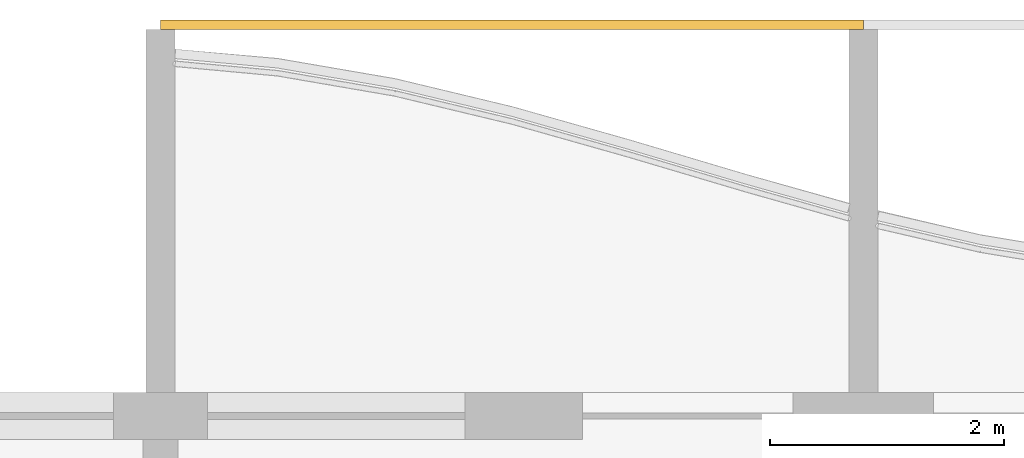
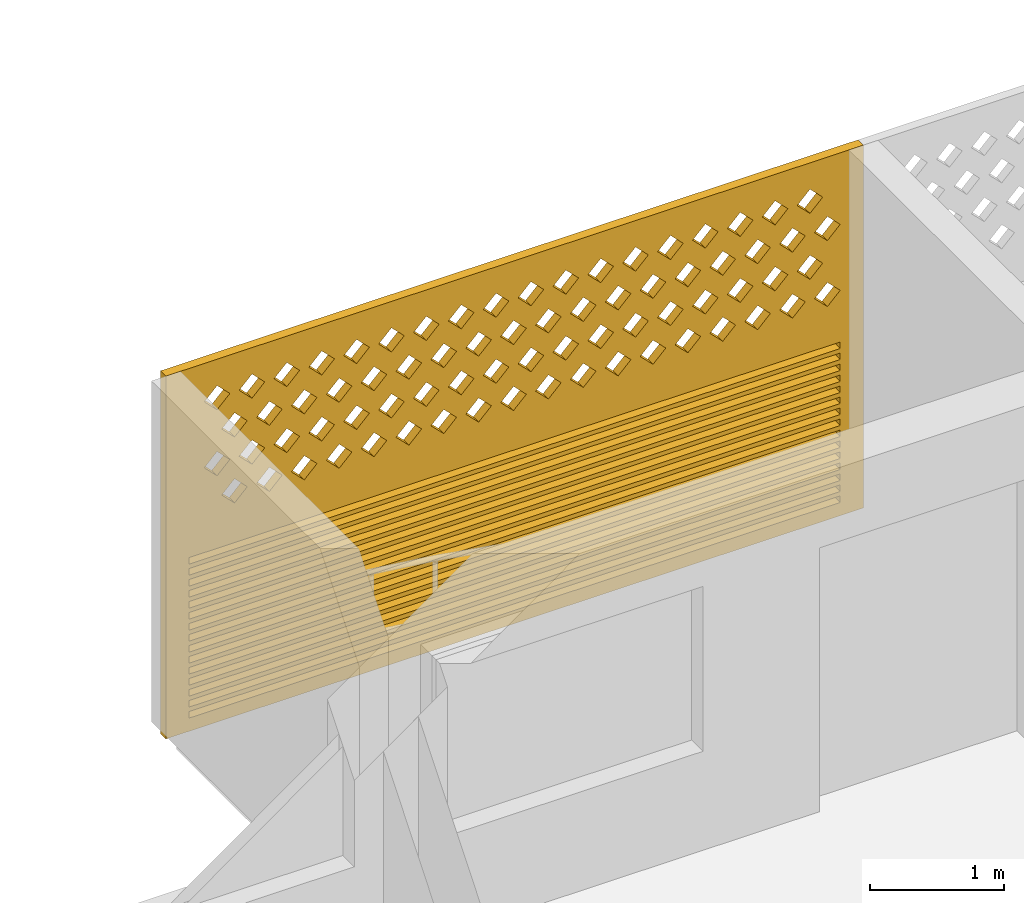
# One storey, part 28 of 32: 1 covering.
"""IFC4 building model written with IfcOpenShell, lengths in metres."""

from ifc_helpers import new_model, si_unit, direction, frame, origin, place, context, subcontext, project, spatial, polyline, outline, extrude, source, transform, mapped, material, material_profile, profile_set, type_object, element, save


model = new_model("IFC4")

# Units and contexts
model_context = context("Model", 3, precision=1e-05, world=origin(), true_north=direction((0.0, 1.0)))
body_context = subcontext(model_context, "Body", "Model", "MODEL_VIEW")
ifc_project = project(units=[si_unit("LENGTHUNIT", "METRE"), si_unit("AREAUNIT", "SQUARE_METRE"), si_unit("VOLUMEUNIT", "CUBIC_METRE"), si_unit("PLANEANGLEUNIT", "RADIAN"), si_unit("MASSUNIT", "GRAM", prefix="KILO")], contexts=[model_context])

# Site, building, storey
site_placement = place(None, origin())
site = spatial("IfcSite", under=ifc_project, at=site_placement, CompositionType="ELEMENT")
building_placement = place(site_placement, origin())
building = spatial("IfcBuilding", under=site, at=building_placement, Name="Poui Terraces", CompositionType="ELEMENT")
storey_placement = place(building_placement, frame((0.0, 0.0, 125.699951171875)))
storey = spatial("IfcBuildingStorey", under=building, at=storey_placement, Name="L34", CompositionType="ELEMENT", Elevation=125.699951171875)

# Covering
ifc_material = material(Name="Terracotta screen", Category="masonry")
ifc_material_profile = material_profile(ifc_material, outline(polyline([(-3.0, -1.64990234375), (3.0, -1.64990234375), (3.0, 1.64990234375), (-3.0, 1.64990234375), (-3.0, -1.64990234375)]), holes=[polyline([(-2.800048828125, 0.39990234375), (-2.68994140625, 0.2900390625), (-2.580078125, 0.39990234375), (-2.68994140625, 0.510009765625), (-2.800048828125, 0.39990234375)]), polyline([(-2.5, 0.39990234375), (-2.389892578125, 0.2900390625), (-2.280029296875, 0.39990234375), (-2.389892578125, 0.510009765625), (-2.5, 0.39990234375)]), polyline([(-2.199951171875, 0.39990234375), (-2.090087890625, 0.2900390625), (-1.97998046875, 0.39990234375), (-2.090087890625, 0.510009765625), (-2.199951171875, 0.39990234375)]), polyline([(-1.89990234375, 0.39990234375), (-1.7900390625, 0.2900390625), (-1.679931640625, 0.39990234375), (-1.7900390625, 0.510009765625), (-1.89990234375, 0.39990234375)]), polyline([(-1.60009765625, 0.39990234375), (-1.489990234375, 0.2900390625), (-1.3798828125, 0.39990234375), (-1.489990234375, 0.510009765625), (-1.60009765625, 0.39990234375)]), polyline([(-1.300048828125, 0.39990234375), (-1.18994140625, 0.2900390625), (-1.080078125, 0.39990234375), (-1.18994140625, 0.510009765625), (-1.300048828125, 0.39990234375)]), polyline([(-1.0, 0.39990234375), (-0.889892578125, 0.2900390625), (-0.780029296875, 0.39990234375), (-0.889892578125, 0.510009765625), (-1.0, 0.39990234375)]), polyline([(-0.699951171875, 0.39990234375), (-0.590087890625, 0.2900390625), (-0.47998046875, 0.39990234375), (-0.590087890625, 0.510009765625), (-0.699951171875, 0.39990234375)]), polyline([(-0.39990234375, 0.39990234375), (-0.2900390625, 0.2900390625), (-0.179931640625, 0.39990234375), (-0.2900390625, 0.510009765625), (-0.39990234375, 0.39990234375)]), polyline([(-0.10009765625, 0.39990234375), (0.010009765625, 0.2900390625), (0.1201171875, 0.39990234375), (0.010009765625, 0.510009765625), (-0.10009765625, 0.39990234375)]), polyline([(0.199951171875, 0.39990234375), (0.31005859375, 0.2900390625), (0.419921875, 0.39990234375), (0.31005859375, 0.510009765625), (0.199951171875, 0.39990234375)]), polyline([(0.5, 0.39990234375), (0.610107421875, 0.2900390625), (0.719970703125, 0.39990234375), (0.610107421875, 0.510009765625), (0.5, 0.39990234375)]), polyline([(0.800048828125, 0.39990234375), (0.909912109375, 0.2900390625), (1.02001953125, 0.39990234375), (0.909912109375, 0.510009765625), (0.800048828125, 0.39990234375)]), polyline([(1.10009765625, 0.39990234375), (1.2099609375, 0.2900390625), (1.320068359375, 0.39990234375), (1.2099609375, 0.510009765625), (1.10009765625, 0.39990234375)]), polyline([(1.39990234375, 0.39990234375), (1.510009765625, 0.2900390625), (1.6201171875, 0.39990234375), (1.510009765625, 0.510009765625), (1.39990234375, 0.39990234375)]), polyline([(1.699951171875, 0.39990234375), (1.81005859375, 0.2900390625), (1.919921875, 0.39990234375), (1.81005859375, 0.510009765625), (1.699951171875, 0.39990234375)]), polyline([(2.0, 0.39990234375), (2.110107421875, 0.2900390625), (2.219970703125, 0.39990234375), (2.110107421875, 0.510009765625), (2.0, 0.39990234375)]), polyline([(2.300048828125, 0.39990234375), (2.409912109375, 0.2900390625), (2.52001953125, 0.39990234375), (2.409912109375, 0.510009765625), (2.300048828125, 0.39990234375)]), polyline([(-2.64990234375, 0.699951171875), (-2.5400390625, 0.590087890625), (-2.429931640625, 0.699951171875), (-2.5400390625, 0.81005859375), (-2.64990234375, 0.699951171875)]), polyline([(-2.35009765625, 0.699951171875), (-2.239990234375, 0.590087890625), (-2.1298828125, 0.699951171875), (-2.239990234375, 0.81005859375), (-2.35009765625, 0.699951171875)]), polyline([(-2.050048828125, 0.699951171875), (-1.93994140625, 0.590087890625), (-1.830078125, 0.699951171875), (-1.93994140625, 0.81005859375), (-2.050048828125, 0.699951171875)]), polyline([(-1.75, 0.699951171875), (-1.639892578125, 0.590087890625), (-1.530029296875, 0.699951171875), (-1.639892578125, 0.81005859375), (-1.75, 0.699951171875)]), polyline([(-1.449951171875, 0.699951171875), (-1.340087890625, 0.590087890625), (-1.22998046875, 0.699951171875), (-1.340087890625, 0.81005859375), (-1.449951171875, 0.699951171875)]), polyline([(-1.14990234375, 0.699951171875), (-1.0400390625, 0.590087890625), (-0.929931640625, 0.699951171875), (-1.0400390625, 0.81005859375), (-1.14990234375, 0.699951171875)]), polyline([(-0.85009765625, 0.699951171875), (-0.739990234375, 0.590087890625), (-0.6298828125, 0.699951171875), (-0.739990234375, 0.81005859375), (-0.85009765625, 0.699951171875)]), polyline([(-0.550048828125, 0.699951171875), (-0.43994140625, 0.590087890625), (-0.330078125, 0.699951171875), (-0.43994140625, 0.81005859375), (-0.550048828125, 0.699951171875)]), polyline([(-0.25, 0.699951171875), (-0.139892578125, 0.590087890625), (-0.030029296875, 0.699951171875), (-0.139892578125, 0.81005859375), (-0.25, 0.699951171875)]), polyline([(0.050048828125, 0.699951171875), (0.159912109375, 0.590087890625), (0.27001953125, 0.699951171875), (0.159912109375, 0.81005859375), (0.050048828125, 0.699951171875)]), polyline([(0.35009765625, 0.699951171875), (0.4599609375, 0.590087890625), (0.570068359375, 0.699951171875), (0.4599609375, 0.81005859375), (0.35009765625, 0.699951171875)]), polyline([(0.64990234375, 0.699951171875), (0.760009765625, 0.590087890625), (0.8701171875, 0.699951171875), (0.760009765625, 0.81005859375), (0.64990234375, 0.699951171875)]), polyline([(0.949951171875, 0.699951171875), (1.06005859375, 0.590087890625), (1.169921875, 0.699951171875), (1.06005859375, 0.81005859375), (0.949951171875, 0.699951171875)]), polyline([(1.25, 0.699951171875), (1.360107421875, 0.590087890625), (1.469970703125, 0.699951171875), (1.360107421875, 0.81005859375), (1.25, 0.699951171875)]), polyline([(1.550048828125, 0.699951171875), (1.659912109375, 0.590087890625), (1.77001953125, 0.699951171875), (1.659912109375, 0.81005859375), (1.550048828125, 0.699951171875)]), polyline([(1.85009765625, 0.699951171875), (1.9599609375, 0.590087890625), (2.070068359375, 0.699951171875), (1.9599609375, 0.81005859375), (1.85009765625, 0.699951171875)]), polyline([(2.14990234375, 0.699951171875), (2.260009765625, 0.590087890625), (2.3701171875, 0.699951171875), (2.260009765625, 0.81005859375), (2.14990234375, 0.699951171875)]), polyline([(2.449951171875, 0.699951171875), (2.56005859375, 0.590087890625), (2.669921875, 0.699951171875), (2.56005859375, 0.81005859375), (2.449951171875, 0.699951171875)]), polyline([(-2.800048828125, 1.0), (-2.68994140625, 0.889892578125), (-2.580078125, 1.0), (-2.68994140625, 1.110107421875), (-2.800048828125, 1.0)]), polyline([(-2.5, 1.0), (-2.389892578125, 0.889892578125), (-2.280029296875, 1.0), (-2.389892578125, 1.110107421875), (-2.5, 1.0)]), polyline([(-2.199951171875, 1.0), (-2.090087890625, 0.889892578125), (-1.97998046875, 1.0), (-2.090087890625, 1.110107421875), (-2.199951171875, 1.0)]), polyline([(-1.89990234375, 1.0), (-1.7900390625, 0.889892578125), (-1.679931640625, 1.0), (-1.7900390625, 1.110107421875), (-1.89990234375, 1.0)]), polyline([(-1.60009765625, 1.0), (-1.489990234375, 0.889892578125), (-1.3798828125, 1.0), (-1.489990234375, 1.110107421875), (-1.60009765625, 1.0)]), polyline([(-1.300048828125, 1.0), (-1.18994140625, 0.889892578125), (-1.080078125, 1.0), (-1.18994140625, 1.110107421875), (-1.300048828125, 1.0)]), polyline([(-1.0, 1.0), (-0.889892578125, 0.889892578125), (-0.780029296875, 1.0), (-0.889892578125, 1.110107421875), (-1.0, 1.0)]), polyline([(-0.699951171875, 1.0), (-0.590087890625, 0.889892578125), (-0.47998046875, 1.0), (-0.590087890625, 1.110107421875), (-0.699951171875, 1.0)]), polyline([(-0.39990234375, 1.0), (-0.2900390625, 0.889892578125), (-0.179931640625, 1.0), (-0.2900390625, 1.110107421875), (-0.39990234375, 1.0)]), polyline([(-0.10009765625, 1.0), (0.010009765625, 0.889892578125), (0.1201171875, 1.0), (0.010009765625, 1.110107421875), (-0.10009765625, 1.0)]), polyline([(0.199951171875, 1.0), (0.31005859375, 0.889892578125), (0.419921875, 1.0), (0.31005859375, 1.110107421875), (0.199951171875, 1.0)]), polyline([(0.5, 1.0), (0.610107421875, 0.889892578125), (0.719970703125, 1.0), (0.610107421875, 1.110107421875), (0.5, 1.0)]), polyline([(0.800048828125, 1.0), (0.909912109375, 0.889892578125), (1.02001953125, 1.0), (0.909912109375, 1.110107421875), (0.800048828125, 1.0)]), polyline([(1.10009765625, 1.0), (1.2099609375, 0.889892578125), (1.320068359375, 1.0), (1.2099609375, 1.110107421875), (1.10009765625, 1.0)]), polyline([(1.39990234375, 1.0), (1.510009765625, 0.889892578125), (1.6201171875, 1.0), (1.510009765625, 1.110107421875), (1.39990234375, 1.0)]), polyline([(1.699951171875, 1.0), (1.81005859375, 0.889892578125), (1.919921875, 1.0), (1.81005859375, 1.110107421875), (1.699951171875, 1.0)]), polyline([(2.0, 1.0), (2.110107421875, 0.889892578125), (2.219970703125, 1.0), (2.110107421875, 1.110107421875), (2.0, 1.0)]), polyline([(2.300048828125, 1.0), (2.409912109375, 0.889892578125), (2.52001953125, 1.0), (2.409912109375, 1.110107421875), (2.300048828125, 1.0)]), polyline([(-2.64990234375, 1.300048828125), (-2.5400390625, 1.18994140625), (-2.429931640625, 1.300048828125), (-2.5400390625, 1.409912109375), (-2.64990234375, 1.300048828125)]), polyline([(-2.35009765625, 1.300048828125), (-2.239990234375, 1.18994140625), (-2.1298828125, 1.300048828125), (-2.239990234375, 1.409912109375), (-2.35009765625, 1.300048828125)]), polyline([(-2.050048828125, 1.300048828125), (-1.93994140625, 1.18994140625), (-1.830078125, 1.300048828125), (-1.93994140625, 1.409912109375), (-2.050048828125, 1.300048828125)]), polyline([(-1.75, 1.300048828125), (-1.639892578125, 1.18994140625), (-1.530029296875, 1.300048828125), (-1.639892578125, 1.409912109375), (-1.75, 1.300048828125)]), polyline([(-1.449951171875, 1.300048828125), (-1.340087890625, 1.18994140625), (-1.22998046875, 1.300048828125), (-1.340087890625, 1.409912109375), (-1.449951171875, 1.300048828125)]), polyline([(-1.14990234375, 1.300048828125), (-1.0400390625, 1.18994140625), (-0.929931640625, 1.300048828125), (-1.0400390625, 1.409912109375), (-1.14990234375, 1.300048828125)]), polyline([(-0.85009765625, 1.300048828125), (-0.739990234375, 1.18994140625), (-0.6298828125, 1.300048828125), (-0.739990234375, 1.409912109375), (-0.85009765625, 1.300048828125)]), polyline([(-0.550048828125, 1.300048828125), (-0.43994140625, 1.18994140625), (-0.330078125, 1.300048828125), (-0.43994140625, 1.409912109375), (-0.550048828125, 1.300048828125)]), polyline([(-0.25, 1.300048828125), (-0.139892578125, 1.18994140625), (-0.030029296875, 1.300048828125), (-0.139892578125, 1.409912109375), (-0.25, 1.300048828125)]), polyline([(0.050048828125, 1.300048828125), (0.159912109375, 1.18994140625), (0.27001953125, 1.300048828125), (0.159912109375, 1.409912109375), (0.050048828125, 1.300048828125)]), polyline([(0.35009765625, 1.300048828125), (0.4599609375, 1.18994140625), (0.570068359375, 1.300048828125), (0.4599609375, 1.409912109375), (0.35009765625, 1.300048828125)]), polyline([(0.64990234375, 1.300048828125), (0.760009765625, 1.18994140625), (0.8701171875, 1.300048828125), (0.760009765625, 1.409912109375), (0.64990234375, 1.300048828125)]), polyline([(0.949951171875, 1.300048828125), (1.06005859375, 1.18994140625), (1.169921875, 1.300048828125), (1.06005859375, 1.409912109375), (0.949951171875, 1.300048828125)]), polyline([(1.25, 1.300048828125), (1.360107421875, 1.18994140625), (1.469970703125, 1.300048828125), (1.360107421875, 1.409912109375), (1.25, 1.300048828125)]), polyline([(1.550048828125, 1.300048828125), (1.659912109375, 1.18994140625), (1.77001953125, 1.300048828125), (1.659912109375, 1.409912109375), (1.550048828125, 1.300048828125)]), polyline([(1.85009765625, 1.300048828125), (1.9599609375, 1.18994140625), (2.070068359375, 1.300048828125), (1.9599609375, 1.409912109375), (1.85009765625, 1.300048828125)]), polyline([(2.14990234375, 1.300048828125), (2.260009765625, 1.18994140625), (2.3701171875, 1.300048828125), (2.260009765625, 1.409912109375), (2.14990234375, 1.300048828125)]), polyline([(2.449951171875, 1.300048828125), (2.56005859375, 1.18994140625), (2.669921875, 1.300048828125), (2.56005859375, 1.409912109375), (2.449951171875, 1.300048828125)]), polyline([(-2.800048828125, -1.530029296875), (2.800048828125, -1.530029296875), (2.800048828125, -1.469970703125), (-2.800048828125, -1.469970703125), (-2.800048828125, -1.530029296875)]), polyline([(-2.800048828125, -1.429931640625), (2.800048828125, -1.429931640625), (2.800048828125, -1.3701171875), (-2.800048828125, -1.3701171875), (-2.800048828125, -1.429931640625)]), polyline([(-2.800048828125, -1.330078125), (2.800048828125, -1.330078125), (2.800048828125, -1.27001953125), (-2.800048828125, -1.27001953125), (-2.800048828125, -1.330078125)]), polyline([(-2.800048828125, -1.22998046875), (2.800048828125, -1.22998046875), (2.800048828125, -1.169921875), (-2.800048828125, -1.169921875), (-2.800048828125, -1.22998046875)]), polyline([(-2.800048828125, -1.1298828125), (2.800048828125, -1.1298828125), (2.800048828125, -1.070068359375), (-2.800048828125, -1.070068359375), (-2.800048828125, -1.1298828125)]), polyline([(-2.800048828125, -1.030029296875), (2.800048828125, -1.030029296875), (2.800048828125, -0.969970703125), (-2.800048828125, -0.969970703125), (-2.800048828125, -1.030029296875)]), polyline([(-2.800048828125, -0.929931640625), (2.800048828125, -0.929931640625), (2.800048828125, -0.8701171875), (-2.800048828125, -0.8701171875), (-2.800048828125, -0.929931640625)]), polyline([(-2.800048828125, -0.830078125), (2.800048828125, -0.830078125), (2.800048828125, -0.77001953125), (-2.800048828125, -0.77001953125), (-2.800048828125, -0.830078125)]), polyline([(-2.800048828125, -0.72998046875), (2.800048828125, -0.72998046875), (2.800048828125, -0.669921875), (-2.800048828125, -0.669921875), (-2.800048828125, -0.72998046875)]), polyline([(-2.800048828125, -0.6298828125), (2.800048828125, -0.6298828125), (2.800048828125, -0.570068359375), (-2.800048828125, -0.570068359375), (-2.800048828125, -0.6298828125)]), polyline([(-2.800048828125, -0.530029296875), (2.800048828125, -0.530029296875), (2.800048828125, -0.469970703125), (-2.800048828125, -0.469970703125), (-2.800048828125, -0.530029296875)]), polyline([(-2.800048828125, -0.429931640625), (2.800048828125, -0.429931640625), (2.800048828125, -0.3701171875), (-2.800048828125, -0.3701171875), (-2.800048828125, -0.429931640625)]), polyline([(-2.800048828125, -0.330078125), (2.800048828125, -0.330078125), (2.800048828125, -0.27001953125), (-2.800048828125, -0.27001953125), (-2.800048828125, -0.330078125)]), polyline([(-2.800048828125, -0.22998046875), (2.800048828125, -0.22998046875), (2.800048828125, -0.169921875), (-2.800048828125, -0.169921875), (-2.800048828125, -0.22998046875)]), polyline([(-2.800048828125, -0.1298828125), (2.800048828125, -0.1298828125), (2.800048828125, -0.070068359375), (-2.800048828125, -0.070068359375), (-2.800048828125, -0.1298828125)])]), Name="TERRACOTTA SCREEN AND JALOUSIE LOUVRE 6000X3300")
ifc_profile_set = profile_set([ifc_material_profile], Name="Terracotta screen")
covering_type = type_object("IfcCoveringType", Name="TERRACOTTA SCREEN AND JALOUSIE LOUVRE 6000X3300", PredefinedType="CLADDING", material=ifc_profile_set)
shared_shape = source(origin(), body_context, "Body", "SweptSolid", [
    extrude(outline(polyline([(-3.0, -1.64990234375), (3.0, -1.64990234375), (3.0, 1.64990234375), (-3.0, 1.64990234375), (-3.0, -1.64990234375)]), holes=[polyline([(-2.800048828125, 0.39990234375), (-2.68994140625, 0.2900390625), (-2.580078125, 0.39990234375), (-2.68994140625, 0.510009765625), (-2.800048828125, 0.39990234375)]), polyline([(-2.5, 0.39990234375), (-2.389892578125, 0.2900390625), (-2.280029296875, 0.39990234375), (-2.389892578125, 0.510009765625), (-2.5, 0.39990234375)]), polyline([(-2.199951171875, 0.39990234375), (-2.090087890625, 0.2900390625), (-1.97998046875, 0.39990234375), (-2.090087890625, 0.510009765625), (-2.199951171875, 0.39990234375)]), polyline([(-1.89990234375, 0.39990234375), (-1.7900390625, 0.2900390625), (-1.679931640625, 0.39990234375), (-1.7900390625, 0.510009765625), (-1.89990234375, 0.39990234375)]), polyline([(-1.60009765625, 0.39990234375), (-1.489990234375, 0.2900390625), (-1.3798828125, 0.39990234375), (-1.489990234375, 0.510009765625), (-1.60009765625, 0.39990234375)]), polyline([(-1.300048828125, 0.39990234375), (-1.18994140625, 0.2900390625), (-1.080078125, 0.39990234375), (-1.18994140625, 0.510009765625), (-1.300048828125, 0.39990234375)]), polyline([(-1.0, 0.39990234375), (-0.889892578125, 0.2900390625), (-0.780029296875, 0.39990234375), (-0.889892578125, 0.510009765625), (-1.0, 0.39990234375)]), polyline([(-0.699951171875, 0.39990234375), (-0.590087890625, 0.2900390625), (-0.47998046875, 0.39990234375), (-0.590087890625, 0.510009765625), (-0.699951171875, 0.39990234375)]), polyline([(-0.39990234375, 0.39990234375), (-0.2900390625, 0.2900390625), (-0.179931640625, 0.39990234375), (-0.2900390625, 0.510009765625), (-0.39990234375, 0.39990234375)]), polyline([(-0.10009765625, 0.39990234375), (0.010009765625, 0.2900390625), (0.1201171875, 0.39990234375), (0.010009765625, 0.510009765625), (-0.10009765625, 0.39990234375)]), polyline([(0.199951171875, 0.39990234375), (0.31005859375, 0.2900390625), (0.419921875, 0.39990234375), (0.31005859375, 0.510009765625), (0.199951171875, 0.39990234375)]), polyline([(0.5, 0.39990234375), (0.610107421875, 0.2900390625), (0.719970703125, 0.39990234375), (0.610107421875, 0.510009765625), (0.5, 0.39990234375)]), polyline([(0.800048828125, 0.39990234375), (0.909912109375, 0.2900390625), (1.02001953125, 0.39990234375), (0.909912109375, 0.510009765625), (0.800048828125, 0.39990234375)]), polyline([(1.10009765625, 0.39990234375), (1.2099609375, 0.2900390625), (1.320068359375, 0.39990234375), (1.2099609375, 0.510009765625), (1.10009765625, 0.39990234375)]), polyline([(1.39990234375, 0.39990234375), (1.510009765625, 0.2900390625), (1.6201171875, 0.39990234375), (1.510009765625, 0.510009765625), (1.39990234375, 0.39990234375)]), polyline([(1.699951171875, 0.39990234375), (1.81005859375, 0.2900390625), (1.919921875, 0.39990234375), (1.81005859375, 0.510009765625), (1.699951171875, 0.39990234375)]), polyline([(2.0, 0.39990234375), (2.110107421875, 0.2900390625), (2.219970703125, 0.39990234375), (2.110107421875, 0.510009765625), (2.0, 0.39990234375)]), polyline([(2.300048828125, 0.39990234375), (2.409912109375, 0.2900390625), (2.52001953125, 0.39990234375), (2.409912109375, 0.510009765625), (2.300048828125, 0.39990234375)]), polyline([(-2.64990234375, 0.699951171875), (-2.5400390625, 0.590087890625), (-2.429931640625, 0.699951171875), (-2.5400390625, 0.81005859375), (-2.64990234375, 0.699951171875)]), polyline([(-2.35009765625, 0.699951171875), (-2.239990234375, 0.590087890625), (-2.1298828125, 0.699951171875), (-2.239990234375, 0.81005859375), (-2.35009765625, 0.699951171875)]), polyline([(-2.050048828125, 0.699951171875), (-1.93994140625, 0.590087890625), (-1.830078125, 0.699951171875), (-1.93994140625, 0.81005859375), (-2.050048828125, 0.699951171875)]), polyline([(-1.75, 0.699951171875), (-1.639892578125, 0.590087890625), (-1.530029296875, 0.699951171875), (-1.639892578125, 0.81005859375), (-1.75, 0.699951171875)]), polyline([(-1.449951171875, 0.699951171875), (-1.340087890625, 0.590087890625), (-1.22998046875, 0.699951171875), (-1.340087890625, 0.81005859375), (-1.449951171875, 0.699951171875)]), polyline([(-1.14990234375, 0.699951171875), (-1.0400390625, 0.590087890625), (-0.929931640625, 0.699951171875), (-1.0400390625, 0.81005859375), (-1.14990234375, 0.699951171875)]), polyline([(-0.85009765625, 0.699951171875), (-0.739990234375, 0.590087890625), (-0.6298828125, 0.699951171875), (-0.739990234375, 0.81005859375), (-0.85009765625, 0.699951171875)]), polyline([(-0.550048828125, 0.699951171875), (-0.43994140625, 0.590087890625), (-0.330078125, 0.699951171875), (-0.43994140625, 0.81005859375), (-0.550048828125, 0.699951171875)]), polyline([(-0.25, 0.699951171875), (-0.139892578125, 0.590087890625), (-0.030029296875, 0.699951171875), (-0.139892578125, 0.81005859375), (-0.25, 0.699951171875)]), polyline([(0.050048828125, 0.699951171875), (0.159912109375, 0.590087890625), (0.27001953125, 0.699951171875), (0.159912109375, 0.81005859375), (0.050048828125, 0.699951171875)]), polyline([(0.35009765625, 0.699951171875), (0.4599609375, 0.590087890625), (0.570068359375, 0.699951171875), (0.4599609375, 0.81005859375), (0.35009765625, 0.699951171875)]), polyline([(0.64990234375, 0.699951171875), (0.760009765625, 0.590087890625), (0.8701171875, 0.699951171875), (0.760009765625, 0.81005859375), (0.64990234375, 0.699951171875)]), polyline([(0.949951171875, 0.699951171875), (1.06005859375, 0.590087890625), (1.169921875, 0.699951171875), (1.06005859375, 0.81005859375), (0.949951171875, 0.699951171875)]), polyline([(1.25, 0.699951171875), (1.360107421875, 0.590087890625), (1.469970703125, 0.699951171875), (1.360107421875, 0.81005859375), (1.25, 0.699951171875)]), polyline([(1.550048828125, 0.699951171875), (1.659912109375, 0.590087890625), (1.77001953125, 0.699951171875), (1.659912109375, 0.81005859375), (1.550048828125, 0.699951171875)]), polyline([(1.85009765625, 0.699951171875), (1.9599609375, 0.590087890625), (2.070068359375, 0.699951171875), (1.9599609375, 0.81005859375), (1.85009765625, 0.699951171875)]), polyline([(2.14990234375, 0.699951171875), (2.260009765625, 0.590087890625), (2.3701171875, 0.699951171875), (2.260009765625, 0.81005859375), (2.14990234375, 0.699951171875)]), polyline([(2.449951171875, 0.699951171875), (2.56005859375, 0.590087890625), (2.669921875, 0.699951171875), (2.56005859375, 0.81005859375), (2.449951171875, 0.699951171875)]), polyline([(-2.800048828125, 1.0), (-2.68994140625, 0.889892578125), (-2.580078125, 1.0), (-2.68994140625, 1.110107421875), (-2.800048828125, 1.0)]), polyline([(-2.5, 1.0), (-2.389892578125, 0.889892578125), (-2.280029296875, 1.0), (-2.389892578125, 1.110107421875), (-2.5, 1.0)]), polyline([(-2.199951171875, 1.0), (-2.090087890625, 0.889892578125), (-1.97998046875, 1.0), (-2.090087890625, 1.110107421875), (-2.199951171875, 1.0)]), polyline([(-1.89990234375, 1.0), (-1.7900390625, 0.889892578125), (-1.679931640625, 1.0), (-1.7900390625, 1.110107421875), (-1.89990234375, 1.0)]), polyline([(-1.60009765625, 1.0), (-1.489990234375, 0.889892578125), (-1.3798828125, 1.0), (-1.489990234375, 1.110107421875), (-1.60009765625, 1.0)]), polyline([(-1.300048828125, 1.0), (-1.18994140625, 0.889892578125), (-1.080078125, 1.0), (-1.18994140625, 1.110107421875), (-1.300048828125, 1.0)]), polyline([(-1.0, 1.0), (-0.889892578125, 0.889892578125), (-0.780029296875, 1.0), (-0.889892578125, 1.110107421875), (-1.0, 1.0)]), polyline([(-0.699951171875, 1.0), (-0.590087890625, 0.889892578125), (-0.47998046875, 1.0), (-0.590087890625, 1.110107421875), (-0.699951171875, 1.0)]), polyline([(-0.39990234375, 1.0), (-0.2900390625, 0.889892578125), (-0.179931640625, 1.0), (-0.2900390625, 1.110107421875), (-0.39990234375, 1.0)]), polyline([(-0.10009765625, 1.0), (0.010009765625, 0.889892578125), (0.1201171875, 1.0), (0.010009765625, 1.110107421875), (-0.10009765625, 1.0)]), polyline([(0.199951171875, 1.0), (0.31005859375, 0.889892578125), (0.419921875, 1.0), (0.31005859375, 1.110107421875), (0.199951171875, 1.0)]), polyline([(0.5, 1.0), (0.610107421875, 0.889892578125), (0.719970703125, 1.0), (0.610107421875, 1.110107421875), (0.5, 1.0)]), polyline([(0.800048828125, 1.0), (0.909912109375, 0.889892578125), (1.02001953125, 1.0), (0.909912109375, 1.110107421875), (0.800048828125, 1.0)]), polyline([(1.10009765625, 1.0), (1.2099609375, 0.889892578125), (1.320068359375, 1.0), (1.2099609375, 1.110107421875), (1.10009765625, 1.0)]), polyline([(1.39990234375, 1.0), (1.510009765625, 0.889892578125), (1.6201171875, 1.0), (1.510009765625, 1.110107421875), (1.39990234375, 1.0)]), polyline([(1.699951171875, 1.0), (1.81005859375, 0.889892578125), (1.919921875, 1.0), (1.81005859375, 1.110107421875), (1.699951171875, 1.0)]), polyline([(2.0, 1.0), (2.110107421875, 0.889892578125), (2.219970703125, 1.0), (2.110107421875, 1.110107421875), (2.0, 1.0)]), polyline([(2.300048828125, 1.0), (2.409912109375, 0.889892578125), (2.52001953125, 1.0), (2.409912109375, 1.110107421875), (2.300048828125, 1.0)]), polyline([(-2.64990234375, 1.300048828125), (-2.5400390625, 1.18994140625), (-2.429931640625, 1.300048828125), (-2.5400390625, 1.409912109375), (-2.64990234375, 1.300048828125)]), polyline([(-2.35009765625, 1.300048828125), (-2.239990234375, 1.18994140625), (-2.1298828125, 1.300048828125), (-2.239990234375, 1.409912109375), (-2.35009765625, 1.300048828125)]), polyline([(-2.050048828125, 1.300048828125), (-1.93994140625, 1.18994140625), (-1.830078125, 1.300048828125), (-1.93994140625, 1.409912109375), (-2.050048828125, 1.300048828125)]), polyline([(-1.75, 1.300048828125), (-1.639892578125, 1.18994140625), (-1.530029296875, 1.300048828125), (-1.639892578125, 1.409912109375), (-1.75, 1.300048828125)]), polyline([(-1.449951171875, 1.300048828125), (-1.340087890625, 1.18994140625), (-1.22998046875, 1.300048828125), (-1.340087890625, 1.409912109375), (-1.449951171875, 1.300048828125)]), polyline([(-1.14990234375, 1.300048828125), (-1.0400390625, 1.18994140625), (-0.929931640625, 1.300048828125), (-1.0400390625, 1.409912109375), (-1.14990234375, 1.300048828125)]), polyline([(-0.85009765625, 1.300048828125), (-0.739990234375, 1.18994140625), (-0.6298828125, 1.300048828125), (-0.739990234375, 1.409912109375), (-0.85009765625, 1.300048828125)]), polyline([(-0.550048828125, 1.300048828125), (-0.43994140625, 1.18994140625), (-0.330078125, 1.300048828125), (-0.43994140625, 1.409912109375), (-0.550048828125, 1.300048828125)]), polyline([(-0.25, 1.300048828125), (-0.139892578125, 1.18994140625), (-0.030029296875, 1.300048828125), (-0.139892578125, 1.409912109375), (-0.25, 1.300048828125)]), polyline([(0.050048828125, 1.300048828125), (0.159912109375, 1.18994140625), (0.27001953125, 1.300048828125), (0.159912109375, 1.409912109375), (0.050048828125, 1.300048828125)]), polyline([(0.35009765625, 1.300048828125), (0.4599609375, 1.18994140625), (0.570068359375, 1.300048828125), (0.4599609375, 1.409912109375), (0.35009765625, 1.300048828125)]), polyline([(0.64990234375, 1.300048828125), (0.760009765625, 1.18994140625), (0.8701171875, 1.300048828125), (0.760009765625, 1.409912109375), (0.64990234375, 1.300048828125)]), polyline([(0.949951171875, 1.300048828125), (1.06005859375, 1.18994140625), (1.169921875, 1.300048828125), (1.06005859375, 1.409912109375), (0.949951171875, 1.300048828125)]), polyline([(1.25, 1.300048828125), (1.360107421875, 1.18994140625), (1.469970703125, 1.300048828125), (1.360107421875, 1.409912109375), (1.25, 1.300048828125)]), polyline([(1.550048828125, 1.300048828125), (1.659912109375, 1.18994140625), (1.77001953125, 1.300048828125), (1.659912109375, 1.409912109375), (1.550048828125, 1.300048828125)]), polyline([(1.85009765625, 1.300048828125), (1.9599609375, 1.18994140625), (2.070068359375, 1.300048828125), (1.9599609375, 1.409912109375), (1.85009765625, 1.300048828125)]), polyline([(2.14990234375, 1.300048828125), (2.260009765625, 1.18994140625), (2.3701171875, 1.300048828125), (2.260009765625, 1.409912109375), (2.14990234375, 1.300048828125)]), polyline([(2.449951171875, 1.300048828125), (2.56005859375, 1.18994140625), (2.669921875, 1.300048828125), (2.56005859375, 1.409912109375), (2.449951171875, 1.300048828125)]), polyline([(-2.800048828125, -1.530029296875), (2.800048828125, -1.530029296875), (2.800048828125, -1.469970703125), (-2.800048828125, -1.469970703125), (-2.800048828125, -1.530029296875)]), polyline([(-2.800048828125, -1.429931640625), (2.800048828125, -1.429931640625), (2.800048828125, -1.3701171875), (-2.800048828125, -1.3701171875), (-2.800048828125, -1.429931640625)]), polyline([(-2.800048828125, -1.330078125), (2.800048828125, -1.330078125), (2.800048828125, -1.27001953125), (-2.800048828125, -1.27001953125), (-2.800048828125, -1.330078125)]), polyline([(-2.800048828125, -1.22998046875), (2.800048828125, -1.22998046875), (2.800048828125, -1.169921875), (-2.800048828125, -1.169921875), (-2.800048828125, -1.22998046875)]), polyline([(-2.800048828125, -1.1298828125), (2.800048828125, -1.1298828125), (2.800048828125, -1.070068359375), (-2.800048828125, -1.070068359375), (-2.800048828125, -1.1298828125)]), polyline([(-2.800048828125, -1.030029296875), (2.800048828125, -1.030029296875), (2.800048828125, -0.969970703125), (-2.800048828125, -0.969970703125), (-2.800048828125, -1.030029296875)]), polyline([(-2.800048828125, -0.929931640625), (2.800048828125, -0.929931640625), (2.800048828125, -0.8701171875), (-2.800048828125, -0.8701171875), (-2.800048828125, -0.929931640625)]), polyline([(-2.800048828125, -0.830078125), (2.800048828125, -0.830078125), (2.800048828125, -0.77001953125), (-2.800048828125, -0.77001953125), (-2.800048828125, -0.830078125)]), polyline([(-2.800048828125, -0.72998046875), (2.800048828125, -0.72998046875), (2.800048828125, -0.669921875), (-2.800048828125, -0.669921875), (-2.800048828125, -0.72998046875)]), polyline([(-2.800048828125, -0.6298828125), (2.800048828125, -0.6298828125), (2.800048828125, -0.570068359375), (-2.800048828125, -0.570068359375), (-2.800048828125, -0.6298828125)]), polyline([(-2.800048828125, -0.530029296875), (2.800048828125, -0.530029296875), (2.800048828125, -0.469970703125), (-2.800048828125, -0.469970703125), (-2.800048828125, -0.530029296875)]), polyline([(-2.800048828125, -0.429931640625), (2.800048828125, -0.429931640625), (2.800048828125, -0.3701171875), (-2.800048828125, -0.3701171875), (-2.800048828125, -0.429931640625)]), polyline([(-2.800048828125, -0.330078125), (2.800048828125, -0.330078125), (2.800048828125, -0.27001953125), (-2.800048828125, -0.27001953125), (-2.800048828125, -0.330078125)]), polyline([(-2.800048828125, -0.22998046875), (2.800048828125, -0.22998046875), (2.800048828125, -0.169921875), (-2.800048828125, -0.169921875), (-2.800048828125, -0.22998046875)]), polyline([(-2.800048828125, -0.1298828125), (2.800048828125, -0.1298828125), (2.800048828125, -0.070068359375), (-2.800048828125, -0.070068359375), (-2.800048828125, -0.1298828125)])]), origin(), (0.0, 0.0, 1.0), 0.080078125),
])
covering_placement = place(storey_placement, frame((63.0, 45.699951171875, 1.449951171875), z_axis=(0.0, 1.0, 0.0), x_axis=(-1.0, 0.0, 0.0)))
element("IfcCovering", 1, at=covering_placement, inside=storey, type_object=covering_type, Name="SOLAR SCREEN AND JALOUSIE LOUVRE", PredefinedType="CLADDING", context=body_context, shape_type="MappedRepresentation", body=[
    mapped(shared_shape, transform((0.0, 0.0, 0.0))),
])

save(model, "model.ifc")
